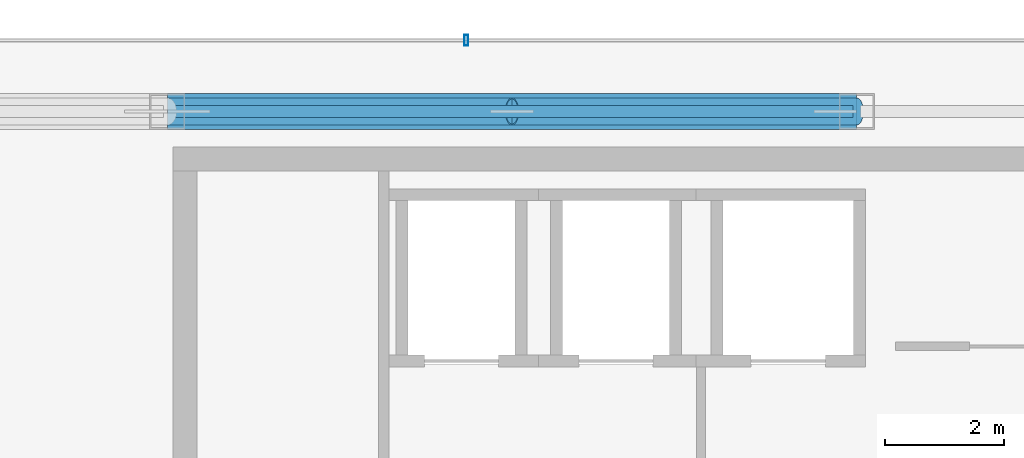
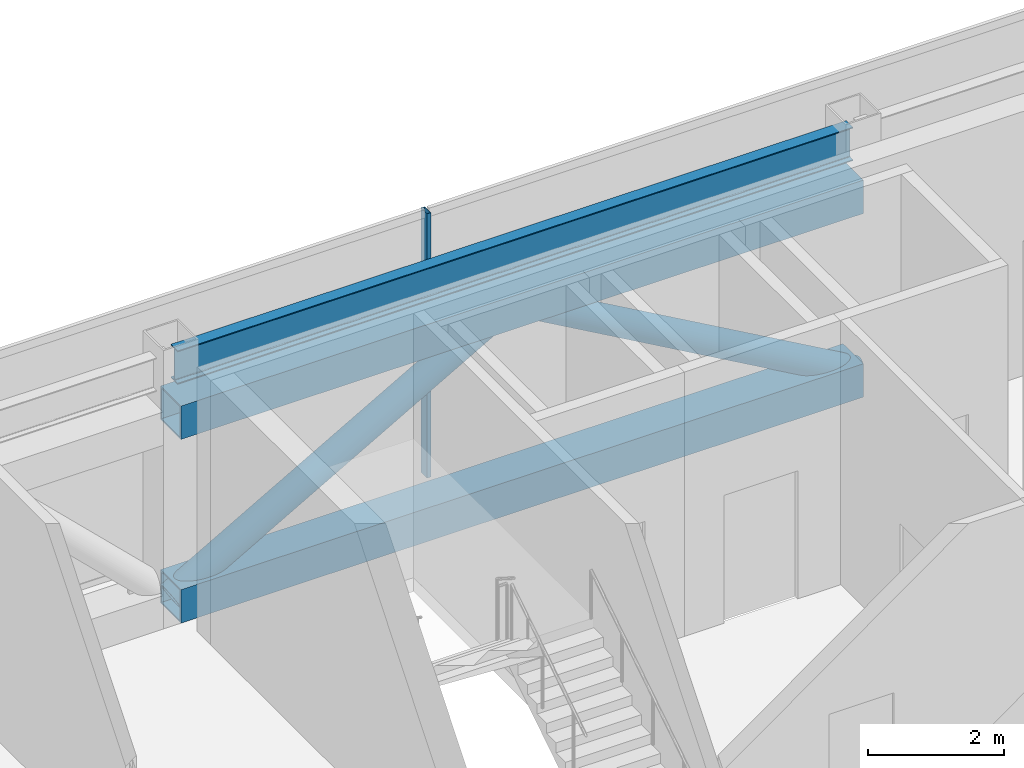
# One storey, part 7 of 20: 5 members, 1 beam, 1 element without a shape of its own.
"""IFC4 building model written with IfcOpenShell, lengths in metres."""

from ifc_helpers import new_model, si_unit, direction, frame, origin, origin_2d, place, context, subcontext, project, spatial, hollow_rectangle, hollow_circle, i_section, extrude, material, material_profile, profile_set, type_object, element, aggregate, save


model = new_model("IFC4")

# Units and contexts
model_context = context("Model", 3, precision=1e-05, world=origin(), true_north=direction((0.0, 1.0)))
body_context = subcontext(model_context, "Body", "Model", "MODEL_VIEW")
ifc_project = project(units=[si_unit("LENGTHUNIT", "METRE"), si_unit("AREAUNIT", "SQUARE_METRE"), si_unit("VOLUMEUNIT", "CUBIC_METRE"), si_unit("PLANEANGLEUNIT", "RADIAN"), si_unit("MASSUNIT", "GRAM", prefix="KILO")], contexts=[model_context])

# Site, building, storey
site_placement = place(None, origin())
site = spatial("IfcSite", under=ifc_project, at=site_placement, CompositionType="ELEMENT")
building_placement = place(site_placement, origin())
building = spatial("IfcBuilding", under=site, at=building_placement, Name="Saevonmaru Cultural Tower", CompositionType="ELEMENT")
storey_placement = place(building_placement, frame((0.0, 0.0, 314.199951171875)))
storey = spatial("IfcBuildingStorey", under=building, at=storey_placement, Name="L75", CompositionType="ELEMENT", Elevation=314.199951171875)

# Beam
ifc_material_1 = material(Name="Steel SM355", Category="steel")
ifc_material_profile_1 = material_profile(ifc_material_1, i_section(OverallWidth=0.199951171875, OverallDepth=0.60009765625, WebThickness=0.010986328125, FlangeThickness=0.01708984375, FilletRadius=0.02197265625, at=origin_2d()), Name="H-600x200x11x17")
ifc_profile_set_1 = profile_set([ifc_material_profile_1], Name="Steel SM355")
beam_type = type_object("IfcBeamType", Name="BM-SP-H600", PredefinedType="SPANDREL", material=ifc_profile_set_1)
beam_placement = place(storey_placement, frame((13.659912109375, 54.800048828125, 4.449951171875), z_axis=(1.0, 0.0, 0.0), x_axis=(0.0, 1.0, 0.0)))
element("IfcBeam", 1, at=beam_placement, inside=storey, type_object=beam_type, Name="L75 North Spine Girder 2", PredefinedType="SPANDREL", context=body_context, shape_type="SweptSolid", body=[
    extrude(i_section(OverallWidth=0.199951171875, OverallDepth=0.60009765625, WebThickness=0.010986328125, FlangeThickness=0.01708984375, FilletRadius=0.02197265625, at=origin_2d()), origin(), (0.0, 0.0, 1.0), 11.47998046875),
])

# Members
ifc_material_2 = material(Name="Steel SM420", Category="steel")
ifc_material_profile_2 = material_profile(ifc_material_2, hollow_circle(Radius=0.228515625, WallThickness=0.02001953125, at=origin_2d()), Name="CHS-457.2x20")
ifc_profile_set_2 = profile_set([ifc_material_profile_2], Name="Steel SM420")
member_type_1 = type_object("IfcMemberType", Name="MB-OBR-CHS457", PredefinedType="BRACE", material=ifc_profile_set_2)
member_1_placement = place(storey_placement, frame((13.60009765625, 54.800048828125, 0.300048828125), z_axis=(0.869153528733, 0.0, 0.494542357631), x_axis=(0.0, 1.0, 0.0)))
element("IfcMember", 2, at=member_1_placement, inside=storey, type_object=member_type_1, Name="L75 Outrigger Truss Diagonal OW1-1", PredefinedType="BRACE", context=body_context, shape_type="SweptSolid", body=[
    extrude(hollow_circle(Radius=0.228515625, WallThickness=0.02001953125, at=origin_2d()), origin(), (0.0, 0.0, 1.0), 6.6728515625),
])
member_2_placement = place(storey_placement, frame((25.199951171875, 54.800048828125, 0.300048828125), z_axis=(-0.869162476392, 0.0, 0.494526631873), x_axis=(0.0, -1.0, 0.0)))
element("IfcMember", 3, at=member_2_placement, inside=storey, type_object=member_type_1, Name="L75 Outrigger Truss Diagonal OW1-2", PredefinedType="BRACE", context=body_context, shape_type="SweptSolid", body=[
    extrude(hollow_circle(Radius=0.228515625, WallThickness=0.02001953125, at=origin_2d()), origin(), (0.0, 0.0, 1.0), 6.673095703125),
])
ifc_material_profile_3 = material_profile(ifc_material_2, hollow_rectangle(XDim=0.60009765625, YDim=0.60009765625, WallThickness=0.028076171875, at=origin_2d()), Name="BOX-600x600x28")
ifc_profile_set_3 = profile_set([ifc_material_profile_3], Name="Steel SM420")
member_type_2 = type_object("IfcMemberType", Name="MB-OCH-BOX600", PredefinedType="CHORD", material=ifc_profile_set_3)
for number, where, z_axis, x_axis, name in (
    (4, (13.60009765625, 54.800048828125, 0.300048828125), (1.0, 0.0, 0.0), (0.0, 1.0, 0.0), "L75 Outrigger Truss Bottom Chord OW1"),
    (5, (13.60009765625, 54.800048828125, 3.60009765625), (1.0, 0.0, 0.0), (0.0, 1.0, 0.0), "L75 Outrigger Truss Top Chord OW1"),
):
    element("IfcMember", number, at=place(storey_placement, frame(where, z_axis=z_axis, x_axis=x_axis)), inside=storey, type_object=member_type_2, Name=name, PredefinedType="CHORD", context=body_context, shape_type="SweptSolid", body=[
        extrude(hollow_rectangle(XDim=0.60009765625, YDim=0.60009765625, WallThickness=0.028076171875, at=origin_2d()), origin(), (0.0, 0.0, 1.0), 11.599853515625),
    ])

# Curtain wall, member
ifc_material_3 = material(Name="Satin Bronze Anodised Aluminium", Category="aluminium")
curtain_wall_type = type_object("IfcCurtainWallType", Name="CW-TYP-B", PredefinedType="NOTDEFINED", material=ifc_material_3)
curtain_wall_placement = place(storey_placement, origin())
curtain_wall = element("IfcCurtainWall", 6, at=curtain_wall_placement, inside=storey, type_object=curtain_wall_type, Name="L75 Wind-Floor Acoustic Louvre Screen E10", PredefinedType="NOTDEFINED")
ifc_material_profile_4 = material_profile(ifc_material_3, hollow_rectangle(XDim=0.06494140625, YDim=0.179931640625, WallThickness=0.00390625, at=origin_2d()), Name="ALU-MULL-180x65x4")
ifc_profile_set_4 = profile_set([ifc_material_profile_4], Name="Satin Bronze Anodised Aluminium")
member_type_3 = type_object("IfcMemberType", Name="ML-CW-180x65", PredefinedType="MULLION", material=ifc_profile_set_4)
member_3_placement = place(storey_placement, frame((18.6298828125, 56.0, 0.0), z_axis=(0.0, 0.0, 1.0), x_axis=(-1.0, 0.0, 0.0)))
member_3 = element("IfcMember", 7, at=member_3_placement, type_object=member_type_3, Name="CW-TW-L75-E10 mullion 4", PredefinedType="MULLION", context=body_context, shape_type="SweptSolid", body=[
    extrude(hollow_rectangle(XDim=0.06494140625, YDim=0.179931640625, WallThickness=0.00390625, at=origin_2d()), origin(), (0.0, 0.0, 1.0), 4.75),
])
aggregate(curtain_wall, [member_3])

save(model, "model.ifc")
